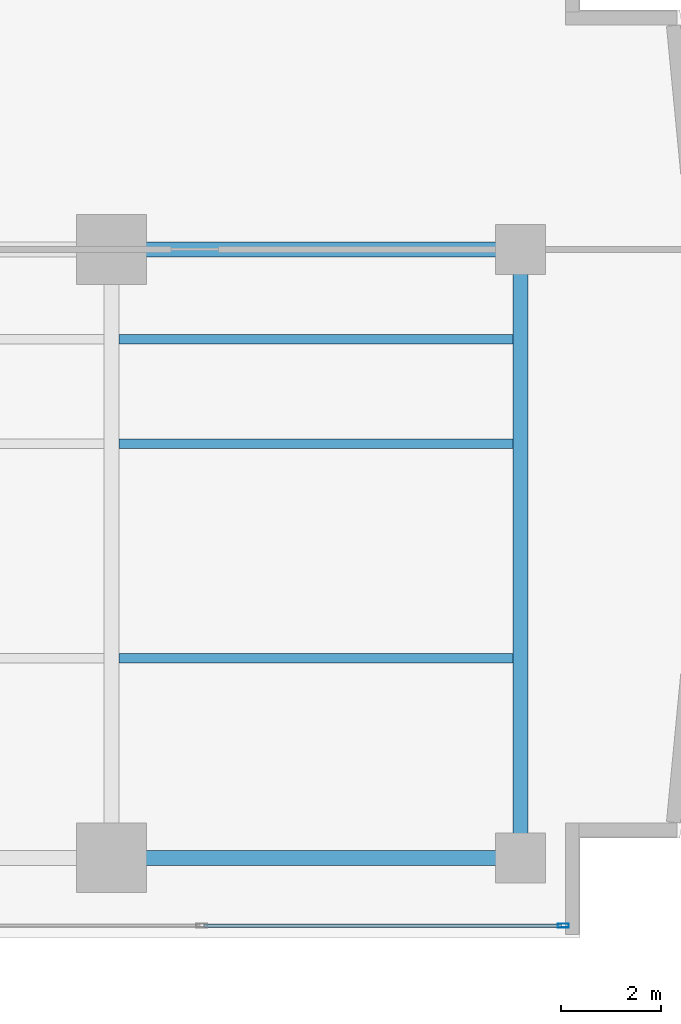
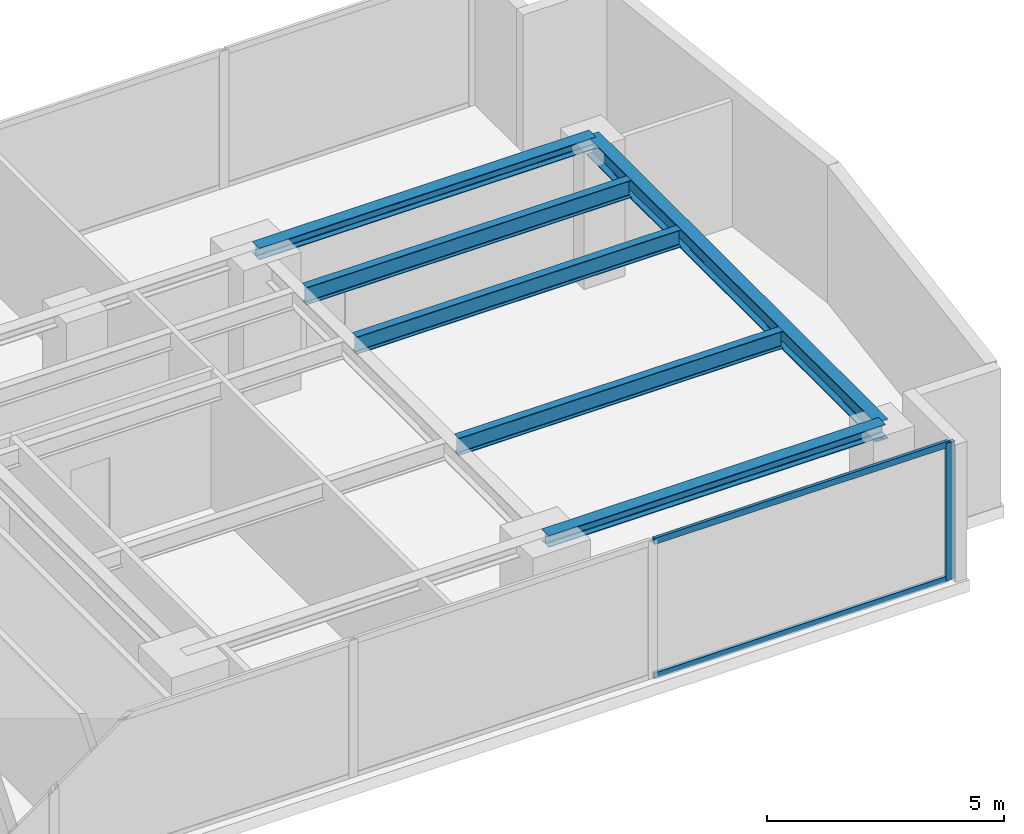
# One storey, part 12 of 26: 6 beams, 3 members, 1 element without a shape of its own.
"""IFC4 building model written with IfcOpenShell, lengths in metres."""

from ifc_helpers import new_model, si_unit, direction, frame, origin, origin_with_axes, origin_2d, place, context, subcontext, project, spatial, hollow_rectangle, i_section, extrude, source, transform, mapped, material, layer, layer_set, material_profile, profile_set, type_object, element, aggregate, save


model = new_model("IFC4")

# Units and contexts
model_context = context("Model", 3, precision=1e-05, world=origin(), true_north=direction((0.0, 1.0)))
body_context = subcontext(model_context, "Body", "Model", "MODEL_VIEW")
ifc_project = project(units=[si_unit("LENGTHUNIT", "METRE"), si_unit("AREAUNIT", "SQUARE_METRE"), si_unit("VOLUMEUNIT", "CUBIC_METRE"), si_unit("PLANEANGLEUNIT", "RADIAN"), si_unit("MASSUNIT", "GRAM", prefix="KILO")], contexts=[model_context])

# Site, building, storey
site_placement = place(None, origin())
site = spatial("IfcSite", under=ifc_project, at=site_placement, CompositionType="ELEMENT")
building_placement = place(site_placement, origin())
building = spatial("IfcBuilding", under=site, at=building_placement, Name="Kolvaren Waterfront Exchange", CompositionType="ELEMENT")
storey_placement = place(building_placement, frame((0.0, 0.0, 110.699951171875)))
storey = spatial("IfcBuildingStorey", under=building, at=storey_placement, Name="L28", CompositionType="ELEMENT", Elevation=110.699951171875)

# Beams
ifc_material_1 = material(Name="Steel S355", Category="steel")
ifc_material_profile_1 = material_profile(ifc_material_1, i_section(OverallWidth=0.300048828125, OverallDepth=0.300048828125, WebThickness=0.010986328125, FlangeThickness=0.01904296875, FilletRadius=0.027099609375, at=origin_2d()), Name="HEB300")
ifc_profile_set_1 = profile_set([ifc_material_profile_1], Name="Steel S355")
beam_type_1 = type_object("IfcBeamType", Name="STR-BM-HEB300", PredefinedType="SPANDREL", material=ifc_profile_set_1)
for number, where, z_axis, x_axis, name in (
    (1, (45.60009765625, 5.199951171875, 3.39013671875), (1.0, 0.0, 0.0), (0.0, 1.0, 0.0), "L28 east-arm spandrel S4"),
    (2, (45.60009765625, 17.39990234375, 3.39013671875), (1.0, 0.0, 0.0), (0.0, 1.0, 0.0), "L28 east-arm spandrel N4"),
):
    element("IfcBeam", number, at=place(storey_placement, frame(where, z_axis=z_axis, x_axis=x_axis)), inside=storey, type_object=beam_type_1, Name=name, PredefinedType="SPANDREL", context=body_context, shape_type="SweptSolid", body=[
        extrude(i_section(OverallWidth=0.300048828125, OverallDepth=0.300048828125, WebThickness=0.010986328125, FlangeThickness=0.01904296875, FilletRadius=0.027099609375, at=origin_2d()), origin(), (0.0, 0.0, 1.0), 8.199951171875),
    ])
ifc_material_profile_2 = material_profile(ifc_material_1, i_section(OverallWidth=0.300048828125, OverallDepth=0.5, WebThickness=0.014404296875, FlangeThickness=0.028076171875, FilletRadius=0.027099609375, at=origin_2d()), Name="HEB500")
ifc_profile_set_2 = profile_set([ifc_material_profile_2], Name="Steel S355")
beam_type_2 = type_object("IfcBeamType", Name="STR-BM-HEB500", PredefinedType="BEAM", material=ifc_profile_set_2)
beam_placement = place(storey_placement, frame((53.800048828125, 5.199951171875, 3.2900390625), z_axis=(0.0, 1.0, 0.0), x_axis=(-1.0, 0.0, 0.0)))
element("IfcBeam", 3, at=beam_placement, inside=storey, type_object=beam_type_2, Name="L28 east-arm transverse girder X53", PredefinedType="BEAM", context=body_context, shape_type="SweptSolid", body=[
    extrude(i_section(OverallWidth=0.300048828125, OverallDepth=0.5, WebThickness=0.014404296875, FlangeThickness=0.028076171875, FilletRadius=0.027099609375, at=origin_2d()), origin(), (0.0, 0.0, 1.0), 12.199951171875),
])
ifc_material_profile_3 = material_profile(ifc_material_1, i_section(OverallWidth=0.18994140625, OverallDepth=0.449951171875, WebThickness=0.009521484375, FlangeThickness=0.0146484375, FilletRadius=0.02099609375, at=origin_2d()), Name="IPE450")
ifc_profile_set_3 = profile_set([ifc_material_profile_3], Name="Steel S355")
beam_type_3 = type_object("IfcBeamType", Name="STR-BM-IPE450", PredefinedType="JOIST", material=ifc_profile_set_3)
for number, where, z_axis, x_axis, name in (
    (4, (45.751953125, 13.5, 3.31494140625), (1.0, 0.0, 0.0), (0.0, 1.0, 0.0), "L28 east-arm composite joist 4A"),
    (5, (45.751953125, 15.60009765625, 3.31494140625), (1.0, 0.0, 0.0), (0.0, 1.0, 0.0), "L28 east-arm composite joist 4C"),
    (6, (45.751953125, 9.199951171875, 3.31494140625), (1.0, 0.0, 0.0), (0.0, 1.0, 0.0), "L28 east-arm composite joist 4B"),
):
    element("IfcBeam", number, at=place(storey_placement, frame(where, z_axis=z_axis, x_axis=x_axis)), inside=storey, type_object=beam_type_3, Name=name, PredefinedType="JOIST", context=body_context, shape_type="SweptSolid", body=[
        extrude(i_section(OverallWidth=0.18994140625, OverallDepth=0.449951171875, WebThickness=0.009521484375, FlangeThickness=0.0146484375, FilletRadius=0.02099609375, at=origin_2d()), origin(), (0.0, 0.0, 1.0), 7.89599609375),
    ])

# Curtain wall, members
ifc_material_2 = material(Name="Anodised bronze aluminium 6063-T6", Category="aluminium")
ifc_layer = layer(ifc_material_2, 0.219970703125, Name="Anodised bronze aluminium 6063-T6")
ifc_layer_set = layer_set([ifc_layer], Name="Anodised bronze aluminium 6063-T6")
curtain_wall_type = type_object("IfcCurtainWallType", Name="ARC-CW-SYS4", PredefinedType="USERDEFINED", material=ifc_layer_set)
curtain_wall_placement = place(storey_placement, origin())
curtain_wall = element("IfcCurtainWall", 7, at=curtain_wall_placement, inside=storey, type_object=curtain_wall_type, Name="L28 stick curtain wall CW4 (CW-L28-S)", ObjectType="STICK CURTAIN WALL", PredefinedType="USERDEFINED")
ifc_material_3 = material(Name="Anodised aluminium 6063-T6", Category="aluminium")
ifc_material_profile_4 = material_profile(ifc_material_3, hollow_rectangle(XDim=0.080078125, YDim=0.219970703125, WallThickness=0.0048828125, at=origin_2d()), Name="ALU-MUL-220x80x5")
ifc_profile_set_4 = profile_set([ifc_material_profile_4], Name="Anodised aluminium 6063-T6")
member_type_1 = type_object("IfcMemberType", Name="ARC-CWM-220", PredefinedType="MULLION", material=ifc_profile_set_4)
shared_shape_1 = source(origin_with_axes(), body_context, "Body", "SweptSolid", [
    extrude(hollow_rectangle(XDim=0.080078125, YDim=0.219970703125, WallThickness=0.0048828125, at=origin_2d()), origin(), (0.0, 0.0, 1.0), 3.5400390625),
])
member_1_placement = place(storey_placement, frame((54.659912109375, 3.840087890625, 0.0), z_axis=(0.0, 0.0, 1.0), x_axis=(0.0, 1.0, 0.0)))
member_1 = element("IfcMember", 8, at=member_1_placement, type_object=member_type_1, Name="CW4 mullion 8", PredefinedType="MULLION", context=body_context, shape_type="MappedRepresentation", body=[
    mapped(shared_shape_1, transform((0.0, 0.0, 0.0), x_axis=(1.0, 0.0, 0.0), y_axis=(0.0, 1.0, 0.0), z_axis=(0.0, 0.0, 1.0), scale=1.0)),
])
ifc_material_profile_5 = material_profile(ifc_material_3, hollow_rectangle(XDim=0.074951171875, YDim=0.159912109375, WallThickness=0.00439453125, at=origin_2d()), Name="ALU-TRN-160x75x4.5")
ifc_profile_set_5 = profile_set([ifc_material_profile_5], Name="Anodised aluminium 6063-T6")
member_type_2 = type_object("IfcMemberType", Name="ARC-CWT-160", PredefinedType="USERDEFINED", material=ifc_profile_set_5)
shared_shape_2 = source(origin_with_axes(), body_context, "Body", "SweptSolid", [
    extrude(hollow_rectangle(XDim=0.074951171875, YDim=0.159912109375, WallThickness=0.00439453125, at=origin_2d()), origin(), (0.0, 0.0, 1.0), 7.165771484375),
])
member_2_placement = place(storey_placement, frame((47.454345703125, 3.840087890625, 0.03759765625), z_axis=(1.0, 0.0, 0.0), x_axis=(0.0, 1.0, 0.0)))
member_2 = element("IfcMember", 9, at=member_2_placement, type_object=member_type_2, Name="CW4 transom 7.1", ObjectType="TRANSOM", PredefinedType="USERDEFINED", context=body_context, shape_type="MappedRepresentation", body=[
    mapped(shared_shape_2, transform((0.0, 0.0, 0.0), x_axis=(1.0, 0.0, 0.0), y_axis=(0.0, 1.0, 0.0), z_axis=(0.0, 0.0, 1.0), scale=1.0)),
])
member_3_placement = place(storey_placement, frame((47.454345703125, 3.840087890625, 3.50244140625), z_axis=(1.0, 0.0, 0.0), x_axis=(0.0, 1.0, 0.0)))
member_3 = element("IfcMember", 10, at=member_3_placement, type_object=member_type_2, Name="CW4 transom 7.2", ObjectType="TRANSOM", PredefinedType="USERDEFINED", context=body_context, shape_type="MappedRepresentation", body=[
    mapped(shared_shape_2, transform((0.0, 0.0, 0.0), x_axis=(1.0, 0.0, 0.0), y_axis=(0.0, 1.0, 0.0), z_axis=(0.0, 0.0, 1.0), scale=1.0)),
])
aggregate(curtain_wall, [member_1, member_2, member_3])

save(model, "model.ifc")
